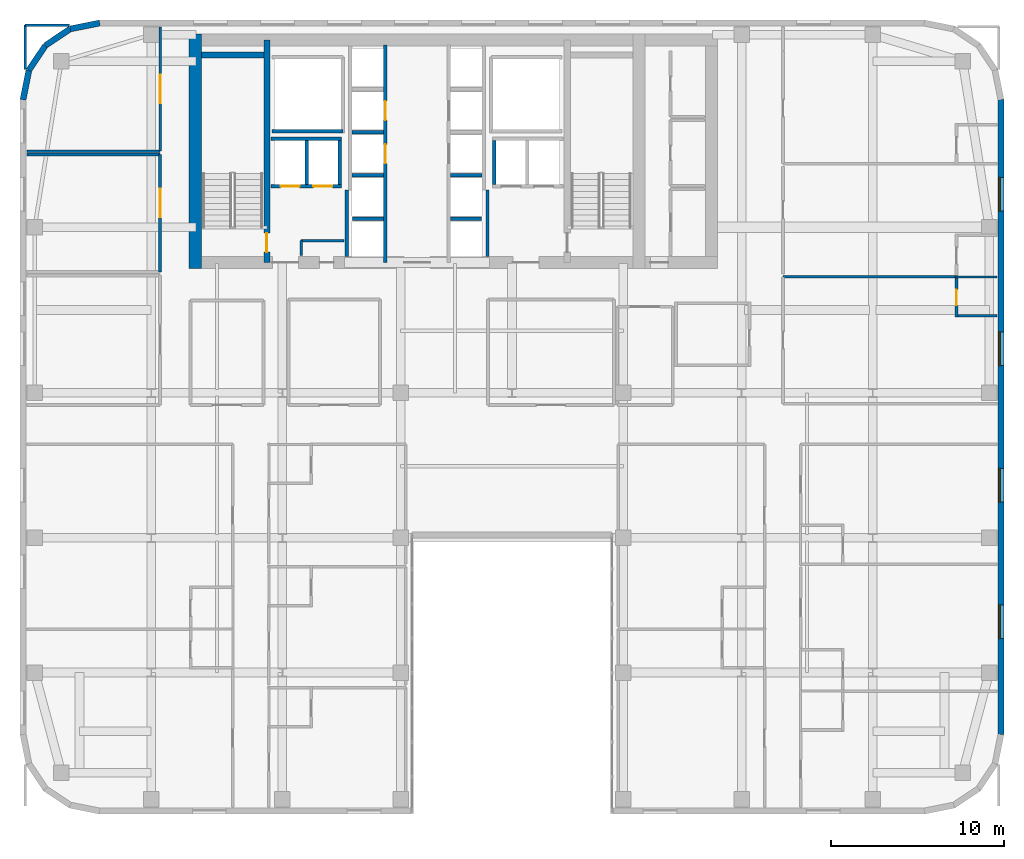
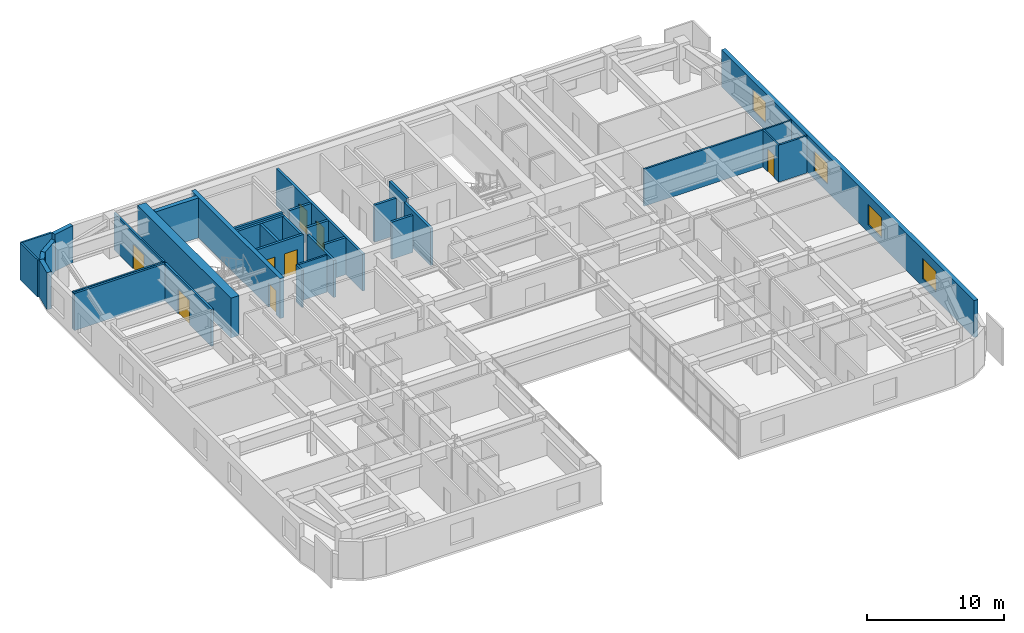
# One storey, part 12 of 15: 34 walls, 8 doors, 4 windows, 12 openings.
"""IFC4 building model written with IfcOpenShell, lengths in metres."""

from ifc_helpers import new_model, si_unit, direction, frame, frame_2d, origin, place, context, subcontext, project, spatial, rectangle, extrude, source, transform, mapped, material, layer, layer_set, type_object, type_shapes, element, fill, save


model = new_model("IFC4")

# Units and contexts
model_context = context("Model", 3, precision=1e-05, world=origin(), true_north=direction((0.0, 1.0)))
body_context = subcontext(model_context, "Body", "Model", "MODEL_VIEW")
ifc_project = project(units=[si_unit("LENGTHUNIT", "METRE"), si_unit("AREAUNIT", "SQUARE_METRE"), si_unit("VOLUMEUNIT", "CUBIC_METRE"), si_unit("PLANEANGLEUNIT", "RADIAN"), si_unit("MASSUNIT", "GRAM", prefix="KILO")], contexts=[model_context])

# Site, building, storey
site_placement = place(None, origin())
site = spatial("IfcSite", under=ifc_project, at=site_placement, CompositionType="ELEMENT")
building_placement = place(site_placement, origin())
building = spatial("IfcBuilding", under=site, at=building_placement, Name="Tolvann Quenvar Hotel", CompositionType="ELEMENT")
storey_placement = place(building_placement, frame((0.0, 0.0, 143.5)))
storey = spatial("IfcBuildingStorey", under=building, at=storey_placement, Name="L37", CompositionType="ELEMENT", Elevation=143.5)

# Wall
ifc_material_1 = material(Name="Concrete S65 (65 MPa)", Category="concrete")
ifc_layer_1 = layer(ifc_material_1, 0.699951171875)
ifc_layer_set_1 = layer_set([ifc_layer_1], Name="Concrete S65 (65 MPa)")
wall_type_1 = type_object("IfcWallType", Name="WALL_CORE_700", PredefinedType="SHEAR", material=ifc_layer_set_1)
wall_1_placement = place(storey_placement, frame((10.14990234375, 31.60009765625, 0.0), z_axis=(0.0, 0.0, 1.0), x_axis=(0.0, 1.0, 0.0)))
element("IfcWall", 1, at=wall_1_placement, inside=storey, type_object=wall_type_1, Name="Rear Core W Shear Wall (L37)", PredefinedType="SHEAR", context=body_context, shape_type="SweptSolid", body=[
    extrude(rectangle(XDim=13.599853515625, YDim=0.699951171875, at=frame_2d((6.7998046875, 0.0))), origin(), (0.0, 0.0, 1.0), 3.550048828125),
])

# Wall, opening, door
ifc_layer_2 = layer(ifc_material_1, 0.35009765625)
ifc_layer_set_2 = layer_set([ifc_layer_2], Name="Concrete S65 (65 MPa)")
wall_type_2 = type_object("IfcWallType", Name="WALL_CORE_INT_350", PredefinedType="SHEAR", material=ifc_layer_set_2)
wall_2_placement = place(storey_placement, frame((14.300048828125, 31.949951171875, 0.0), z_axis=(0.0, 0.0, 1.0), x_axis=(0.0, 1.0, 0.0)))
wall_2 = element("IfcWall", 2, at=wall_2_placement, inside=storey, type_object=wall_type_2, Name="Core Internal Web Shear Wall WEB-W (L37)", PredefinedType="SHEAR", context=body_context, shape_type="SweptSolid", body=[
    extrude(rectangle(XDim=12.900146484375, YDim=0.35009765625, at=frame_2d((6.4501953125, 0.0))), origin(), (0.0, 0.0, 1.0), 3.550048828125),
])
opening_1_placement = place(wall_2_placement, frame((0.60009765625, 0.0, 0.0)))
opening_1 = element("IfcOpeningElement", 3, at=opening_1_placement, cuts=wall_2, Name="Opening FD-120", PredefinedType="OPENING", context=body_context, shape_type="SweptSolid", body=[
    extrude(rectangle(XDim=1.10009765625, YDim=2.1201171875, at=frame_2d((0.550048828125, 1.06005859375))), frame((0.0, 0.18505859375, 0.0), z_axis=(0.0, -1.0, 0.0), x_axis=(1.0, 0.0, 0.0)), (0.0, 0.0, 1.0), 0.3701171875),
])
ifc_material_2 = material(Name="Pressed galvanised steel fire-rated door set", Category="steel")
door_type_1 = type_object("IfcDoorType", Name="DOOR_FIRE_STAIR_1100", OperationType="NOTDEFINED", PredefinedType="DOOR", material=ifc_material_2)
shared_shape_1 = source(origin(), body_context, "Body", "SweptSolid", [
    extrude(rectangle(XDim=1.10009765625, YDim=2.1201171875, at=frame_2d((0.550048828125, 1.06005859375))), frame((0.0, 0.02490234375, 0.0), z_axis=(0.0, -1.0, 0.0), x_axis=(1.0, 0.0, 0.0)), (0.0, 0.0, 1.0), 0.050048828125),
])
type_shapes(door_type_1, [shared_shape_1])
door_1_placement = place(opening_1_placement, origin())
door_1 = element("IfcDoor", 4, at=door_1_placement, inside=storey, type_object=door_type_1, Name="Exit Stair ST-C1 Fire Door (L37)", OperationType="SINGLE_SWING_LEFT", OverallHeight=2.1201171875, OverallWidth=1.10009765625, PredefinedType="DOOR", context=body_context, shape_type="MappedRepresentation", body=[
    mapped(shared_shape_1, transform((0.0, 0.0, 0.0), x_axis=(1.0, 0.0, 0.0), y_axis=(0.0, 1.0, 0.0), z_axis=(0.0, 0.0, 1.0), scale=1.0)),
])
fill(opening_1, door_1)

# Wall
wall_3_placement = place(storey_placement, frame((10.52001953125, 43.97509765625, 0.0), z_axis=(0.0, 0.0, 1.0), x_axis=(1.0, 0.0, 0.0)))
element("IfcWall", 5, at=wall_3_placement, inside=storey, type_object=wall_type_2, Name="Core Stair North Closing Shear Wall STC1-N (L37)", PredefinedType="SHEAR", context=body_context, shape_type="SweptSolid", body=[
    extrude(rectangle(XDim=3.60009765625, YDim=0.35009765625, at=frame_2d((1.800048828125, 0.0))), origin(), (0.0, 0.0, 1.0), 3.550048828125),
])

# Wall, openings, windows
ifc_material_3 = material(Name="Kiln-fired red and buff architectural clay brickwork and terracotta masonry", Category="masonry")
ifc_layer_3 = layer(ifc_material_3, 0.35009765625)
ifc_layer_set_3 = layer_set([ifc_layer_3], Name="Kiln-fired red and buff architectural clay brickwork and terracotta masonry")
wall_type_3 = type_object("IfcWallType", Name="WALL_EXT_BRICK_350", PredefinedType="SOLIDWALL", material=ifc_layer_set_3)
wall_4_placement = place(storey_placement, frame((56.824951171875, 4.6171875, 0.0), z_axis=(0.0, 0.0, 1.0), x_axis=(0.0, 1.0, 0.0)))
wall_4 = element("IfcWall", 6, at=wall_4_placement, inside=storey, type_object=wall_type_3, Name="Exterior Chicago Brick Wall L37-E13", PredefinedType="SOLIDWALL", context=body_context, shape_type="SweptSolid", body=[
    extrude(rectangle(XDim=36.765625, YDim=0.35009765625, at=frame_2d((18.3828125, 0.0))), origin(), (0.0, 0.0, 1.0), 3.2900390625),
])
opening_2_placement = place(wall_4_placement, frame((5.552978515625, 0.0, 0.679931640625)))
opening_2 = element("IfcOpeningElement", 7, at=opening_2_placement, cuts=wall_4, Name="Opening W-10", PredefinedType="OPENING", context=body_context, shape_type="SweptSolid", body=[
    extrude(rectangle(XDim=1.949951171875, YDim=1.820068359375, at=frame_2d((0.97509765625, 0.91015625))), frame((0.0, 0.18505859375, 0.0), z_axis=(0.0, -1.0, 0.0), x_axis=(1.0, 0.0, 0.0)), (0.0, 0.0, 1.0), 0.3701171875),
])
opening_3_placement = place(wall_4_placement, frame((13.4560546875, 0.0, 0.679931640625)))
opening_3 = element("IfcOpeningElement", 8, at=opening_3_placement, cuts=wall_4, Name="Opening W-10", PredefinedType="OPENING", context=body_context, shape_type="SweptSolid", body=[
    extrude(rectangle(XDim=1.949951171875, YDim=1.820068359375, at=frame_2d((0.97509765625, 0.91015625))), frame((0.0, 0.18505859375, 0.0), z_axis=(0.0, -1.0, 0.0), x_axis=(1.0, 0.0, 0.0)), (0.0, 0.0, 1.0), 0.3701171875),
])
opening_4_placement = place(wall_4_placement, frame((21.360107421875, 0.0, 0.679931640625)))
opening_4 = element("IfcOpeningElement", 9, at=opening_4_placement, cuts=wall_4, Name="Opening W-10", PredefinedType="OPENING", context=body_context, shape_type="SweptSolid", body=[
    extrude(rectangle(XDim=1.949951171875, YDim=1.820068359375, at=frame_2d((0.97509765625, 0.91015625))), frame((0.0, 0.18505859375, 0.0), z_axis=(0.0, -1.0, 0.0), x_axis=(1.0, 0.0, 0.0)), (0.0, 0.0, 1.0), 0.3701171875),
])
opening_5_placement = place(wall_4_placement, frame((30.31298828125, 0.0, 0.679931640625)))
opening_5 = element("IfcOpeningElement", 10, at=opening_5_placement, cuts=wall_4, Name="Opening W-10", PredefinedType="OPENING", context=body_context, shape_type="SweptSolid", body=[
    extrude(rectangle(XDim=1.949951171875, YDim=1.820068359375, at=frame_2d((0.97509765625, 0.91015625))), frame((0.0, 0.18505859375, 0.0), z_axis=(0.0, -1.0, 0.0), x_axis=(1.0, 0.0, 0.0)), (0.0, 0.0, 1.0), 0.3701171875),
])
ifc_material_4 = material(Name="Thermally broken bronze-anodised aluminium frame with double low-E glazing", Category="aluminium")
window_type = type_object("IfcWindowType", Name="WIN_CLB_1950x1850", PartitioningType="DOUBLE_PANEL_VERTICAL", PredefinedType="WINDOW", material=ifc_material_4)
shared_shape_2 = source(origin(), body_context, "Body", "SweptSolid", [
    extrude(rectangle(XDim=1.949951171875, YDim=1.820068359375, at=frame_2d((0.97509765625, 0.91015625))), frame((0.0, 0.090087890625, 0.0), z_axis=(0.0, -1.0, 0.0), x_axis=(1.0, 0.0, 0.0)), (0.0, 0.0, 1.0), 0.06005859375),
])
type_shapes(window_type, [shared_shape_2])
window_1_placement = place(opening_2_placement, origin())
window_1 = element("IfcWindow", 11, at=window_1_placement, inside=storey, type_object=window_type, Name="Chicago Window W-10 (EW-L37-E13-W01)", OverallHeight=1.820068359375, OverallWidth=1.949951171875, PartitioningType="DOUBLE_PANEL_VERTICAL", PredefinedType="WINDOW", context=body_context, shape_type="MappedRepresentation", body=[
    mapped(shared_shape_2, transform((0.0, 0.0, 0.0), x_axis=(1.0, 0.0, 0.0), y_axis=(0.0, 1.0, 0.0), z_axis=(0.0, 0.0, 1.0), scale=1.0)),
])
fill(opening_2, window_1)
window_2_placement = place(opening_3_placement, origin())
window_2 = element("IfcWindow", 12, at=window_2_placement, inside=storey, type_object=window_type, Name="Chicago Window W-10 (EW-L37-E13-W02)", OverallHeight=1.820068359375, OverallWidth=1.949951171875, PartitioningType="DOUBLE_PANEL_VERTICAL", PredefinedType="WINDOW", context=body_context, shape_type="MappedRepresentation", body=[
    mapped(shared_shape_2, transform((0.0, 0.0, 0.0), x_axis=(1.0, 0.0, 0.0), y_axis=(0.0, 1.0, 0.0), z_axis=(0.0, 0.0, 1.0), scale=1.0)),
])
fill(opening_3, window_2)
window_3_placement = place(opening_4_placement, origin())
window_3 = element("IfcWindow", 13, at=window_3_placement, inside=storey, type_object=window_type, Name="Chicago Window W-10 (EW-L37-E13-W03)", OverallHeight=1.820068359375, OverallWidth=1.949951171875, PartitioningType="DOUBLE_PANEL_VERTICAL", PredefinedType="WINDOW", context=body_context, shape_type="MappedRepresentation", body=[
    mapped(shared_shape_2, transform((0.0, 0.0, 0.0), x_axis=(1.0, 0.0, 0.0), y_axis=(0.0, 1.0, 0.0), z_axis=(0.0, 0.0, 1.0), scale=1.0)),
])
fill(opening_4, window_3)
window_4_placement = place(opening_5_placement, origin())
window_4 = element("IfcWindow", 14, at=window_4_placement, inside=storey, type_object=window_type, Name="Chicago Window W-10 (EW-L37-E13-W04)", OverallHeight=1.820068359375, OverallWidth=1.949951171875, PartitioningType="DOUBLE_PANEL_VERTICAL", PredefinedType="WINDOW", context=body_context, shape_type="MappedRepresentation", body=[
    mapped(shared_shape_2, transform((0.0, 0.0, 0.0), x_axis=(1.0, 0.0, 0.0), y_axis=(0.0, 1.0, 0.0), z_axis=(0.0, 0.0, 1.0), scale=1.0)),
])
fill(opening_5, window_4)

# Walls
wall_5_placement = place(storey_placement, frame((4.6171875, 45.824951171875, 0.0), z_axis=(0.0, 0.0, 1.0), x_axis=(-0.980800971659, -0.195011420161, 0.0)))
element("IfcWall", 15, at=wall_5_placement, inside=storey, type_object=wall_type_3, Name="Exterior Chicago Brick Wall L37-E19", PredefinedType="SOLIDWALL", context=body_context, shape_type="SweptSolid", body=[
    extrude(rectangle(XDim=1.74267578125, YDim=0.35009765625, at=frame_2d((0.871337890625, 0.0))), origin(), (0.0, 0.0, 1.0), 3.2900390625),
])
for number, where, z_axis, x_axis, name in (
    (16, (2.907958984375, 45.485107421875, 0.0), (0.0, 0.0, 1.0), (-0.831483840845, -0.55554893791, 0.0), "Exterior Chicago Brick Wall L37-E20"),
    (17, (1.473388671875, 44.526611328125, 0.0), (0.0, 0.0, 1.0), (-0.55554893791, -0.831483840845, 0.0), "Exterior Chicago Brick Wall L37-E21"),
):
    element("IfcWall", number, at=place(storey_placement, frame(where, z_axis=z_axis, x_axis=x_axis)), inside=storey, type_object=wall_type_3, Name=name, PredefinedType="SOLIDWALL", context=body_context, shape_type="SweptSolid", body=[
        extrude(rectangle(XDim=1.725341796875, YDim=0.35009765625, at=frame_2d((0.86279296875, 0.0))), origin(), (0.0, 0.0, 1.0), 2.751953125),
    ])
wall_6_placement = place(storey_placement, frame((0.514892578125, 43.092041015625, 0.0), z_axis=(0.0, 0.0, 1.0), x_axis=(-0.195011420161, -0.980800971659, 0.0)))
element("IfcWall", 18, at=wall_6_placement, inside=storey, type_object=wall_type_3, Name="Exterior Chicago Brick Wall L37-E22", PredefinedType="SOLIDWALL", context=body_context, shape_type="SweptSolid", body=[
    extrude(rectangle(XDim=1.74267578125, YDim=0.35009765625, at=frame_2d((0.871337890625, 0.0))), origin(), (0.0, 0.0, 1.0), 3.2900390625),
])
ifc_material_5 = material(Name="Acoustic twin-stud fire-rated gypsum plasterboard partition")
ifc_layer_4 = layer(ifc_material_5, 0.179931640625)
ifc_layer_set_4 = layer_set([ifc_layer_4], Name="Acoustic twin-stud fire-rated gypsum plasterboard partition")
wall_type_4 = type_object("IfcWallType", Name="WALL_PART_ACOUSTIC_180", PredefinedType="PARTITIONING", material=ifc_layer_set_4)
wall_7_placement = place(storey_placement, frame((0.405029296875, 38.199951171875, 0.0), z_axis=(0.0, 0.0, 1.0), x_axis=(1.0, 0.0, 0.0)))
element("IfcWall", 19, at=wall_7_placement, inside=storey, type_object=wall_type_4, Name="Interior Partition PT-SPC-L37-MTG-N", PredefinedType="PARTITIONING", context=body_context, shape_type="SweptSolid", body=[
    extrude(rectangle(XDim=7.715087890625, YDim=0.179931640625, at=frame_2d((3.857421875, 0.0))), origin(), (0.0, 0.0, 1.0), 3.2900390625),
])

# Wall, opening, door
wall_8_placement = place(storey_placement, frame((8.1201171875, 31.39990234375, 0.0), z_axis=(0.0, 0.0, 1.0), x_axis=(0.0, 1.0, 0.0)))
wall_8 = element("IfcWall", 20, at=wall_8_placement, inside=storey, type_object=wall_type_4, Name="Interior Partition PT-SPC-L37-MTG-E", PredefinedType="PARTITIONING", context=body_context, shape_type="SweptSolid", body=[
    extrude(rectangle(XDim=6.800048828125, YDim=0.179931640625, at=frame_2d((3.39990234375, 0.0))), origin(), (0.0, 0.0, 1.0), 3.2900390625),
])
opening_6_placement = place(wall_8_placement, frame((3.175048828125, 0.0, 0.0)))
opening_6 = element("IfcOpeningElement", 21, at=opening_6_placement, cuts=wall_8, Name="Opening AD-01", PredefinedType="OPENING", context=body_context, shape_type="SweptSolid", body=[
    extrude(rectangle(XDim=1.64990234375, YDim=2.14990234375, at=frame_2d((0.824951171875, 1.074951171875))), frame((0.0, 0.10009765625, 0.0), z_axis=(0.0, -1.0, 0.0), x_axis=(1.0, 0.0, 0.0)), (0.0, 0.0, 1.0), 0.199951171875),
])
ifc_material_6 = material(Name="Solid-core American oak acoustic fire door leaf in steel frame", Category="steel")
door_type_2 = type_object("IfcDoorType", Name="DOOR_SALON_1650", OperationType="NOTDEFINED", PredefinedType="DOOR", material=ifc_material_6)
shared_shape_3 = source(origin(), body_context, "Body", "SweptSolid", [
    extrude(rectangle(XDim=1.64990234375, YDim=2.14990234375, at=frame_2d((0.824951171875, 1.074951171875))), frame((0.0, 0.02490234375, 0.0), z_axis=(0.0, -1.0, 0.0), x_axis=(1.0, 0.0, 0.0)), (0.0, 0.0, 1.0), 0.050048828125),
])
type_shapes(door_type_2, [shared_shape_3])
door_2_placement = place(opening_6_placement, origin())
door_2 = element("IfcDoor", 22, at=door_2_placement, inside=storey, type_object=door_type_2, Name="Interior Door DOOR-SPC-L37-MTG", OperationType="DOUBLE_DOOR_SINGLE_SWING", OverallHeight=2.14990234375, OverallWidth=1.64990234375, PredefinedType="DOOR", context=body_context, shape_type="MappedRepresentation", body=[
    mapped(shared_shape_3, transform((0.0, 0.0, 0.0), x_axis=(1.0, 0.0, 0.0), y_axis=(0.0, 1.0, 0.0), z_axis=(0.0, 0.0, 1.0), scale=1.0)),
])
fill(opening_6, door_2)

# Wall
ifc_material_7 = material(Name="Moisture-resistant acoustic plumbing wall assembly")
ifc_layer_5 = layer(ifc_material_7, 0.1201171875)
ifc_layer_set_5 = layer_set([ifc_layer_5], Name="Moisture-resistant acoustic plumbing wall assembly")
wall_type_5 = type_object("IfcWallType", Name="WALL_PART_BATH_120", PredefinedType="PLUMBINGWALL", material=ifc_layer_set_5)
wall_9_placement = place(storey_placement, frame((54.179931640625, 31.1201171875, 0.0), z_axis=(0.0, 0.0, 1.0), x_axis=(1.0, 0.0, 0.0)))
element("IfcWall", 23, at=wall_9_placement, inside=storey, type_object=wall_type_5, Name="Non-Rated Plumbing Partition PT-SPC-L37-ENS-NE01-N", PredefinedType="PLUMBINGWALL", context=body_context, shape_type="SweptSolid", body=[
    extrude(rectangle(XDim=2.4150390625, YDim=0.1201171875, at=frame_2d((1.20751953125, 0.0))), origin(), (0.0, 0.0, 1.0), 3.2900390625),
])

# Wall, opening, door
ifc_layer_6 = layer(ifc_material_5, 0.14990234375)
ifc_layer_set_6 = layer_set([ifc_layer_6], Name="Acoustic twin-stud fire-rated gypsum plasterboard partition")
wall_type_6 = type_object("IfcWallType", Name="WALL_PART_SUITE_150", PredefinedType="PARTITIONING", material=ifc_layer_set_6)
wall_10_placement = place(storey_placement, frame((54.25, 28.800048828125, 0.0), z_axis=(0.0, 0.0, 1.0), x_axis=(0.0, 1.0, 0.0)))
wall_10 = element("IfcWall", 24, at=wall_10_placement, inside=storey, type_object=wall_type_6, Name="Interior Partition PT-SPC-L37-ENS-NE01-ENT", PredefinedType="PARTITIONING", context=body_context, shape_type="SweptSolid", body=[
    extrude(rectangle(XDim=2.389892578125, YDim=0.14990234375, at=frame_2d((1.19482421875, 0.0))), origin(), (0.0, 0.0, 1.0), 3.2900390625),
])
opening_7_placement = place(wall_10_placement, frame((0.6650390625, 0.0, 0.0)))
opening_7 = element("IfcOpeningElement", 25, at=opening_7_placement, cuts=wall_10, Name="Opening WD-01", PredefinedType="OPENING", context=body_context, shape_type="SweptSolid", body=[
    extrude(rectangle(XDim=0.919921875, YDim=2.010009765625, at=frame_2d((0.4599609375, 1.0048828125))), frame((0.0, 0.0849609375, 0.0), z_axis=(0.0, -1.0, 0.0), x_axis=(1.0, 0.0, 0.0)), (0.0, 0.0, 1.0), 0.169921875),
])
door_type_3 = type_object("IfcDoorType", Name="DOOR_WC_920", OperationType="NOTDEFINED", PredefinedType="DOOR", material=ifc_material_6)
shared_shape_4 = source(origin(), body_context, "Body", "SweptSolid", [
    extrude(rectangle(XDim=0.919921875, YDim=2.010009765625, at=frame_2d((0.4599609375, 1.0048828125))), frame((0.0, 0.02490234375, 0.0), z_axis=(0.0, -1.0, 0.0), x_axis=(1.0, 0.0, 0.0)), (0.0, 0.0, 1.0), 0.050048828125),
])
type_shapes(door_type_3, [shared_shape_4])
door_3_placement = place(opening_7_placement, origin())
door_3 = element("IfcDoor", 26, at=door_3_placement, inside=storey, type_object=door_type_3, Name="Interior Door DOOR-SPC-L37-ENS-NE01", OperationType="SINGLE_SWING_LEFT", OverallHeight=2.010009765625, OverallWidth=0.919921875, PredefinedType="DOOR", context=body_context, shape_type="MappedRepresentation", body=[
    mapped(shared_shape_4, transform((0.0, 0.0, 0.0), x_axis=(1.0, 0.0, 0.0), y_axis=(0.0, 1.0, 0.0), z_axis=(0.0, 0.0, 1.0), scale=1.0)),
])
fill(opening_7, door_3)

# Walls
wall_11_placement = place(storey_placement, frame((54.179931640625, 28.8701171875, 0.0), z_axis=(0.0, 0.0, 1.0), x_axis=(1.0, 0.0, 0.0)))
element("IfcWall", 27, at=wall_11_placement, inside=storey, type_object=wall_type_6, Name="Interior Partition PT-SPC-L37-ENS-NE01-S", PredefinedType="PARTITIONING", context=body_context, shape_type="SweptSolid", body=[
    extrude(rectangle(XDim=2.4150390625, YDim=0.14990234375, at=frame_2d((1.20751953125, 0.0))), origin(), (0.0, 0.0, 1.0), 3.2900390625),
])
wall_12_placement = place(storey_placement, frame((16.280029296875, 33.219970703125, 0.0), z_axis=(0.0, 0.0, 1.0), x_axis=(1.0, 0.0, 0.0)))
element("IfcWall", 28, at=wall_12_placement, inside=storey, type_object=wall_type_6, Name="Interior Partition PT-SPC-L37-CSW-1-N", PredefinedType="PARTITIONING", context=body_context, shape_type="SweptSolid", body=[
    extrude(rectangle(XDim=2.48486328125, YDim=0.14990234375, at=frame_2d((1.242431640625, 0.0))), origin(), (0.0, 0.0, 1.0), 3.2900390625),
])
wall_13_placement = place(storey_placement, frame((16.280029296875, 32.35498046875, 0.0), z_axis=(0.0, 0.0, 1.0), x_axis=(0.0, 1.0, 0.0)))
element("IfcWall", 29, at=wall_13_placement, inside=storey, type_object=wall_type_6, Name="Interior Partition PT-SPC-L37-CSW-1-W", PredefinedType="PARTITIONING", context=body_context, shape_type="SweptSolid", body=[
    extrude(rectangle(XDim=0.864990234375, YDim=0.14990234375, at=frame_2d((0.4326171875, 0.0))), origin(), (0.0, 0.0, 1.0), 3.2900390625),
])
wall_14_placement = place(storey_placement, frame((0.405029296875, 38.39990234375, 0.0), z_axis=(0.0, 0.0, 1.0), x_axis=(1.0, 0.0, 0.0)))
element("IfcWall", 30, at=wall_14_placement, inside=storey, type_object=wall_type_6, Name="Interior Partition PT-SPC-L37-TEA-S", PredefinedType="PARTITIONING", context=body_context, shape_type="SweptSolid", body=[
    extrude(rectangle(XDim=7.715087890625, YDim=0.14990234375, at=frame_2d((3.857421875, 0.0))), origin(), (0.0, 0.0, 1.0), 3.2900390625),
])
for number, where, z_axis, x_axis, name in (
    (31, (0.300048828125, 45.699951171875, 0.0), (0.0, 0.0, 1.0), (1.0, 0.0, 0.0), "Interior Partition PT-SPC-L37-TEA-N"),
    (32, (0.300048828125, 43.135009765625, 0.0), (0.0, 0.0, 1.0), (0.0, 1.0, 0.0), "Interior Partition PT-SPC-L37-TEA-W"),
):
    element("IfcWall", number, at=place(storey_placement, frame(where, z_axis=z_axis, x_axis=x_axis)), inside=storey, type_object=wall_type_6, Name=name, PredefinedType="PARTITIONING", context=body_context, shape_type="SweptSolid", body=[
        extrude(rectangle(XDim=2.56494140625, YDim=0.14990234375, at=frame_2d((1.282470703125, 0.0))), origin(), (0.0, 0.0, 1.0), 3.2900390625),
    ])

# Wall, opening, door
wall_15_placement = place(storey_placement, frame((8.1201171875, 38.39990234375, 0.0), z_axis=(0.0, 0.0, 1.0), x_axis=(0.0, 1.0, 0.0)))
wall_15 = element("IfcWall", 33, at=wall_15_placement, inside=storey, type_object=wall_type_6, Name="Interior Partition PT-SPC-L37-TEA-E", PredefinedType="PARTITIONING", context=body_context, shape_type="SweptSolid", body=[
    extrude(rectangle(XDim=7.195068359375, YDim=0.14990234375, at=frame_2d((3.59765625, 0.0))), origin(), (0.0, 0.0, 1.0), 3.2900390625),
])
opening_8_placement = place(wall_15_placement, frame((2.7724609375, 0.0, 0.0)))
opening_8 = element("IfcOpeningElement", 34, at=opening_8_placement, cuts=wall_15, Name="Opening AD-01", PredefinedType="OPENING", context=body_context, shape_type="SweptSolid", body=[
    extrude(rectangle(XDim=1.64990234375, YDim=2.14990234375, at=frame_2d((0.824951171875, 1.074951171875))), frame((0.0, 0.0849609375, 0.0), z_axis=(0.0, -1.0, 0.0), x_axis=(1.0, 0.0, 0.0)), (0.0, 0.0, 1.0), 0.169921875),
])
door_4_placement = place(opening_8_placement, origin())
door_4 = element("IfcDoor", 35, at=door_4_placement, inside=storey, type_object=door_type_2, Name="Interior Door DOOR-SPC-L37-TEA", OperationType="DOUBLE_DOOR_SINGLE_SWING", OverallHeight=2.14990234375, OverallWidth=1.64990234375, PredefinedType="DOOR", context=body_context, shape_type="MappedRepresentation", body=[
    mapped(shared_shape_3, transform((0.0, 0.0, 0.0), x_axis=(1.0, 0.0, 0.0), y_axis=(0.0, 1.0, 0.0), z_axis=(0.0, 0.0, 1.0), scale=1.0)),
])
fill(opening_8, door_4)

# Walls
wall_16_placement = place(storey_placement, frame((44.199951171875, 31.1201171875, 0.0), z_axis=(0.0, 0.0, 1.0), x_axis=(1.0, 0.0, 0.0)))
element("IfcWall", 36, at=wall_16_placement, inside=storey, type_object=wall_type_6, Name="Interior Partition PT-SPC-L37-RM-NE01-E5", PredefinedType="PARTITIONING", context=body_context, shape_type="SweptSolid", body=[
    extrude(rectangle(XDim=10.030029296875, YDim=0.14990234375, at=frame_2d((5.01513671875, 0.0))), origin(), (0.0, 0.0, 1.0), 3.2900390625),
])
ifc_material_8 = material(Name="Concrete N40 (40 MPa)", Category="concrete")
ifc_layer_7 = layer(ifc_material_8, 0.199951171875)
ifc_layer_set_7 = layer_set([ifc_layer_7], Name="Concrete N40 (40 MPa)")
wall_type_7 = type_object("IfcWallType", Name="WALL_SHAFT_200", PredefinedType="SOLIDWALL", material=ifc_layer_set_7)
wall_17_placement = place(storey_placement, frame((14.60009765625, 39.550048828125, 0.0), z_axis=(0.0, 0.0, 1.0), x_axis=(1.0, 0.0, 0.0)))
element("IfcWall", 37, at=wall_17_placement, inside=storey, type_object=wall_type_7, Name="Service Riser W Shaft Wall S (L37)", PredefinedType="SOLIDWALL", context=body_context, shape_type="SweptSolid", body=[
    extrude(rectangle(XDim=4.099853515625, YDim=0.199951171875, at=frame_2d((2.0498046875, 0.0))), origin(), (0.0, 0.0, 1.0), 3.2900390625),
])
for number, where, z_axis, x_axis, name in (
    (38, (18.919921875, 32.303955078125, 0.0), (0.0, 0.0, 1.0), (0.0, 1.0, 0.0), "Firefighting Lobby W Inner Fire Wall (L37)"),
    (39, (27.080078125, 32.303955078125, 0.0), (0.0, 0.0, 1.0), (0.0, 1.0, 0.0), "Firefighting Lobby E Inner Fire Wall (L37)"),
):
    element("IfcWall", number, at=place(storey_placement, frame(where, z_axis=z_axis, x_axis=x_axis)), inside=storey, type_object=wall_type_7, Name=name, PredefinedType="SOLIDWALL", context=body_context, shape_type="SweptSolid", body=[
        extrude(rectangle(XDim=3.845947265625, YDim=0.199951171875, at=frame_2d((1.9228515625, 0.0))), origin(), (0.0, 0.0, 1.0), 3.2900390625),
    ])

# Wall, openings, doors
wall_18_placement = place(storey_placement, frame((21.169921875, 31.9599609375, 0.0), z_axis=(0.0, 0.0, 1.0), x_axis=(0.0, 1.0, 0.0)))
wall_18 = element("IfcWall", 40, at=wall_18_placement, inside=storey, type_object=wall_type_7, Name="Lift Bank E21.1C1 Hoistway Front Wall (L37)", PredefinedType="SOLIDWALL", context=body_context, shape_type="SweptSolid", body=[
    extrude(rectangle(XDim=12.580078125, YDim=0.199951171875, at=frame_2d((6.2900390625, 0.0))), origin(), (0.0, 0.0, 1.0), 3.2900390625),
])
opening_9_placement = place(wall_18_placement, frame((5.739990234375, 0.0, 0.0)))
opening_9 = element("IfcOpeningElement", 41, at=opening_9_placement, cuts=wall_18, Name="Opening LD-01", PredefinedType="OPENING", context=body_context, shape_type="SweptSolid", body=[
    extrude(rectangle(XDim=1.10009765625, YDim=2.1201171875, at=frame_2d((0.550048828125, 1.06005859375))), frame((0.0, 0.10986328125, 0.0), z_axis=(0.0, -1.0, 0.0), x_axis=(1.0, 0.0, 0.0)), (0.0, 0.0, 1.0), 0.219970703125),
])
opening_10_placement = place(wall_18_placement, frame((8.239990234375, 0.0, 0.0)))
opening_10 = element("IfcOpeningElement", 42, at=opening_10_placement, cuts=wall_18, Name="Opening LD-01", PredefinedType="OPENING", context=body_context, shape_type="SweptSolid", body=[
    extrude(rectangle(XDim=1.10009765625, YDim=2.1201171875, at=frame_2d((0.550048828125, 1.06005859375))), frame((0.0, 0.10986328125, 0.0), z_axis=(0.0, -1.0, 0.0), x_axis=(1.0, 0.0, 0.0)), (0.0, 0.0, 1.0), 0.219970703125),
])
ifc_material_9 = material(Name="Brushed 316 stainless steel automatic sliding lift landing door", Category="steel")
door_type_4 = type_object("IfcDoorType", Name="DOOR_LIFT_SLIDE_1100", OperationType="NOTDEFINED", PredefinedType="DOOR", material=ifc_material_9)
shared_shape_5 = source(origin(), body_context, "Body", "SweptSolid", [
    extrude(rectangle(XDim=1.10009765625, YDim=2.1201171875, at=frame_2d((0.550048828125, 1.06005859375))), frame((0.0, 0.02490234375, 0.0), z_axis=(0.0, -1.0, 0.0), x_axis=(1.0, 0.0, 0.0)), (0.0, 0.0, 1.0), 0.050048828125),
])
type_shapes(door_type_4, [shared_shape_5])
door_5_placement = place(opening_9_placement, origin())
door_5 = element("IfcDoor", 43, at=door_5_placement, inside=storey, type_object=door_type_4, Name="Lift PM-1 Sliding Landing Door (L37)", OperationType="SLIDING_TO_RIGHT", OverallHeight=2.1201171875, OverallWidth=1.10009765625, PredefinedType="DOOR", context=body_context, shape_type="MappedRepresentation", body=[
    mapped(shared_shape_5, transform((0.0, 0.0, 0.0), x_axis=(1.0, 0.0, 0.0), y_axis=(0.0, 1.0, 0.0), z_axis=(0.0, 0.0, 1.0), scale=1.0)),
])
fill(opening_9, door_5)
door_6_placement = place(opening_10_placement, origin())
door_6 = element("IfcDoor", 44, at=door_6_placement, inside=storey, type_object=door_type_4, Name="Lift PM-2 Sliding Landing Door (L37)", OperationType="SLIDING_TO_LEFT", OverallHeight=2.1201171875, OverallWidth=1.10009765625, PredefinedType="DOOR", context=body_context, shape_type="MappedRepresentation", body=[
    mapped(shared_shape_5, transform((0.0, 0.0, 0.0), x_axis=(1.0, 0.0, 0.0), y_axis=(0.0, 1.0, 0.0), z_axis=(0.0, 0.0, 1.0), scale=1.0)),
])
fill(opening_10, door_6)

# Walls
wall_19_placement = place(storey_placement, frame((19.27001953125, 34.5, 0.0), z_axis=(0.0, 0.0, 1.0), x_axis=(1.0, 0.0, 0.0)))
element("IfcWall", 45, at=wall_19_placement, inside=storey, type_object=wall_type_7, Name="Lift Bank E21.1C1 Divider Wall 1 (L37)", PredefinedType="SOLIDWALL", context=body_context, shape_type="SweptSolid", body=[
    extrude(rectangle(XDim=1.800048828125, YDim=0.199951171875, at=frame_2d((0.89990234375, 0.0))), origin(), (0.0, 0.0, 1.0), 3.2900390625),
])
for number, where, z_axis, x_axis, name in (
    (46, (19.22998046875, 37.0, 0.0), (0.0, 0.0, 1.0), (1.0, 0.0, 0.0), "Lift Bank E21.1C1 Divider Wall 2 (L37)"),
    (47, (19.22998046875, 39.5, 0.0), (0.0, 0.0, 1.0), (1.0, 0.0, 0.0), "Lift Bank E21.1C1 Divider Wall 3 (L37)"),
):
    element("IfcWall", number, at=place(storey_placement, frame(where, z_axis=z_axis, x_axis=x_axis)), inside=storey, type_object=wall_type_7, Name=name, PredefinedType="SOLIDWALL", context=body_context, shape_type="SweptSolid", body=[
        extrude(rectangle(XDim=1.840087890625, YDim=0.199951171875, at=frame_2d((0.919921875, 0.0))), origin(), (0.0, 0.0, 1.0), 3.2900390625),
    ])
wall_20_placement = place(storey_placement, frame((27.47509765625, 36.47998046875, 0.0), z_axis=(0.0, 0.0, 1.0), x_axis=(0.0, 1.0, 0.0)))
element("IfcWall", 48, at=wall_20_placement, inside=storey, type_object=wall_type_7, Name="Lift Bank SEC1 Hoistway Cheek Wall 1 (L37)", PredefinedType="SOLIDWALL", context=body_context, shape_type="SweptSolid", body=[
    extrude(rectangle(XDim=2.5400390625, YDim=0.199951171875, at=frame_2d((1.27001953125, 0.0))), origin(), (0.0, 0.0, 1.0), 3.2900390625),
])

# Wall, openings, doors
wall_21_placement = place(storey_placement, frame((14.550048828125, 36.3798828125, 0.0), z_axis=(0.0, 0.0, 1.0), x_axis=(1.0, 0.0, 0.0)))
wall_21 = element("IfcWall", 49, at=wall_21_placement, inside=storey, type_object=wall_type_7, Name="Lift Bank SWC1 Hoistway Front Wall (L37)", PredefinedType="SOLIDWALL", context=body_context, shape_type="SweptSolid", body=[
    extrude(rectangle(XDim=4.074951171875, YDim=0.199951171875, at=frame_2d((2.03759765625, 0.0))), origin(), (0.0, 0.0, 1.0), 3.2900390625),
])
opening_11_placement = place(wall_21_placement, frame((0.550048828125, 0.0, 0.0)))
opening_11 = element("IfcOpeningElement", 50, at=opening_11_placement, cuts=wall_21, Name="Opening LD-01", PredefinedType="OPENING", context=body_context, shape_type="SweptSolid", body=[
    extrude(rectangle(XDim=1.10009765625, YDim=2.1201171875, at=frame_2d((0.550048828125, 1.06005859375))), frame((0.0, 0.10986328125, 0.0), z_axis=(0.0, -1.0, 0.0), x_axis=(1.0, 0.0, 0.0)), (0.0, 0.0, 1.0), 0.219970703125),
])
opening_12_placement = place(wall_21_placement, frame((2.449951171875, 0.0, 0.0)))
opening_12 = element("IfcOpeningElement", 51, at=opening_12_placement, cuts=wall_21, Name="Opening LD-01", PredefinedType="OPENING", context=body_context, shape_type="SweptSolid", body=[
    extrude(rectangle(XDim=1.10009765625, YDim=2.1201171875, at=frame_2d((0.550048828125, 1.06005859375))), frame((0.0, 0.10986328125, 0.0), z_axis=(0.0, -1.0, 0.0), x_axis=(1.0, 0.0, 0.0)), (0.0, 0.0, 1.0), 0.219970703125),
])
door_7_placement = place(opening_11_placement, origin())
door_7 = element("IfcDoor", 52, at=door_7_placement, inside=storey, type_object=door_type_4, Name="Lift FF-1 Sliding Landing Door (L37)", OperationType="SLIDING_TO_LEFT", OverallHeight=2.1201171875, OverallWidth=1.10009765625, PredefinedType="DOOR", context=body_context, shape_type="MappedRepresentation", body=[
    mapped(shared_shape_5, transform((0.0, 0.0, 0.0), x_axis=(1.0, 0.0, 0.0), y_axis=(0.0, 1.0, 0.0), z_axis=(0.0, 0.0, 1.0), scale=1.0)),
])
fill(opening_11, door_7)
door_8_placement = place(opening_12_placement, origin())
door_8 = element("IfcDoor", 53, at=door_8_placement, inside=storey, type_object=door_type_4, Name="Lift SV-1 Sliding Landing Door (L37)", OperationType="SLIDING_TO_RIGHT", OverallHeight=2.1201171875, OverallWidth=1.10009765625, PredefinedType="DOOR", context=body_context, shape_type="MappedRepresentation", body=[
    mapped(shared_shape_5, transform((0.0, 0.0, 0.0), x_axis=(1.0, 0.0, 0.0), y_axis=(0.0, 1.0, 0.0), z_axis=(0.0, 0.0, 1.0), scale=1.0)),
])
fill(opening_12, door_8)

# Walls
wall_22_placement = place(storey_placement, frame((14.550048828125, 39.1201171875, 0.0), z_axis=(0.0, 0.0, 1.0), x_axis=(1.0, 0.0, 0.0)))
element("IfcWall", 54, at=wall_22_placement, inside=storey, type_object=wall_type_7, Name="Lift Bank SWC1 Hoistway Rear Wall (L37)", PredefinedType="SOLIDWALL", context=body_context, shape_type="SweptSolid", body=[
    extrude(rectangle(XDim=4.074951171875, YDim=0.199951171875, at=frame_2d((2.03759765625, 0.0))), origin(), (0.0, 0.0, 1.0), 3.2900390625),
])
for number, where, z_axis, x_axis, name in (
    (55, (18.52490234375, 36.47998046875, 0.0), (0.0, 0.0, 1.0), (0.0, 1.0, 0.0), "Lift Bank SWC1 Hoistway Cheek Wall 2 (L37)"),
    (56, (16.612548828125, 36.47998046875, 0.0), (0.0, 0.0, 1.0), (0.0, 1.0, 0.0), "Lift Bank SWC1 Divider Wall 1 (L37)"),
):
    element("IfcWall", number, at=place(storey_placement, frame(where, z_axis=z_axis, x_axis=x_axis)), inside=storey, type_object=wall_type_7, Name=name, PredefinedType="SOLIDWALL", context=body_context, shape_type="SweptSolid", body=[
        extrude(rectangle(XDim=2.5400390625, YDim=0.199951171875, at=frame_2d((1.27001953125, 0.0))), origin(), (0.0, 0.0, 1.0), 3.2900390625),
    ])
wall_23_placement = place(storey_placement, frame((24.929931640625, 34.5, 0.0), z_axis=(0.0, 0.0, 1.0), x_axis=(1.0, 0.0, 0.0)))
element("IfcWall", 57, at=wall_23_placement, inside=storey, type_object=wall_type_7, Name="Lift Bank W24.9C1 Divider Wall 1 (L37)", PredefinedType="SOLIDWALL", context=body_context, shape_type="SweptSolid", body=[
    extrude(rectangle(XDim=1.800048828125, YDim=0.199951171875, at=frame_2d((0.89990234375, 0.0))), origin(), (0.0, 0.0, 1.0), 3.2900390625),
])
wall_24_placement = place(storey_placement, frame((24.929931640625, 37.0, 0.0), z_axis=(0.0, 0.0, 1.0), x_axis=(1.0, 0.0, 0.0)))
element("IfcWall", 58, at=wall_24_placement, inside=storey, type_object=wall_type_7, Name="Lift Bank W24.9C1 Divider Wall 2 (L37)", PredefinedType="SOLIDWALL", context=body_context, shape_type="SweptSolid", body=[
    extrude(rectangle(XDim=1.840087890625, YDim=0.199951171875, at=frame_2d((0.919921875, 0.0))), origin(), (0.0, 0.0, 1.0), 3.2900390625),
])

save(model, "model.ifc")
